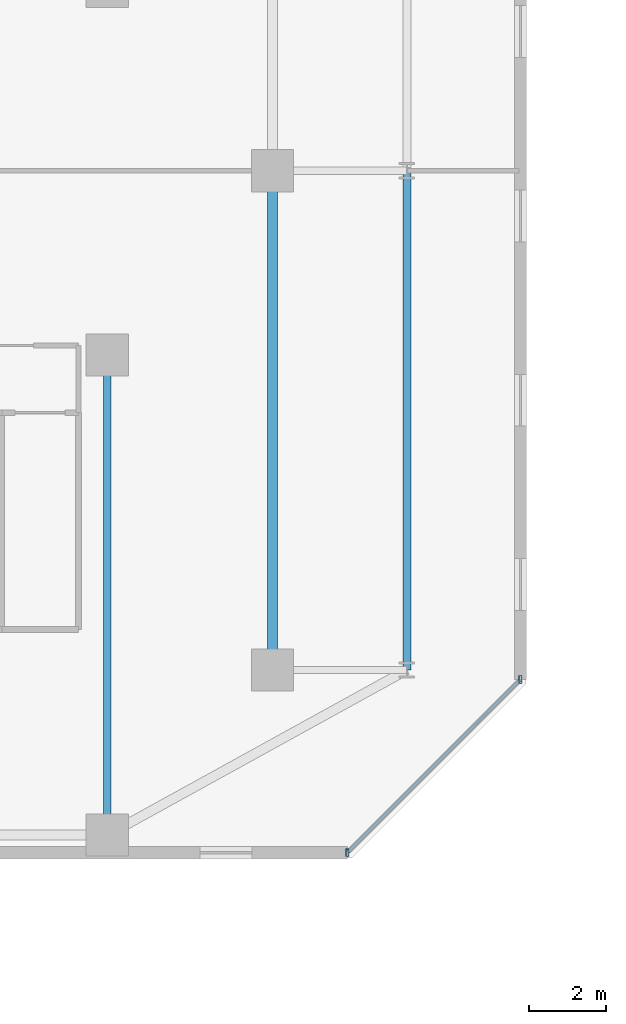
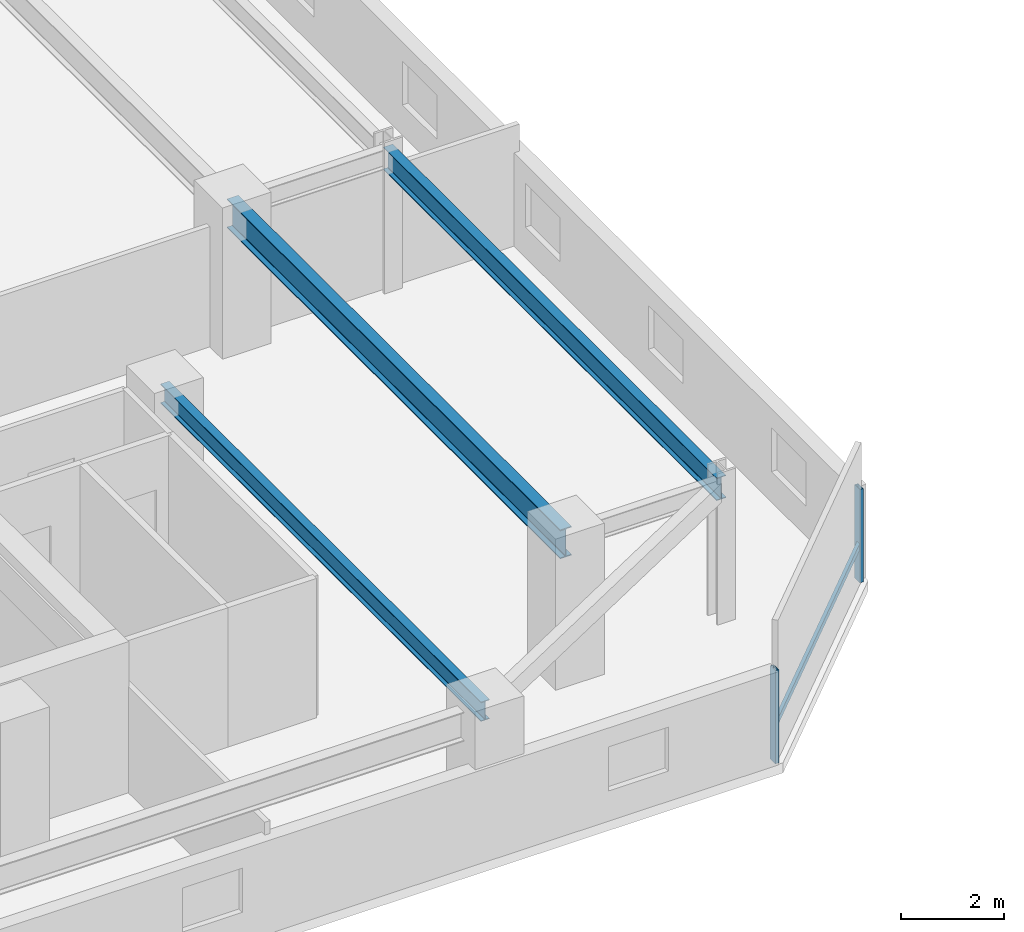
# One storey, part 5 of 36: 3 beams, 3 members, 1 element without a shape of its own.
"""IFC4 building model written with IfcOpenShell, lengths in metres."""

from ifc_helpers import new_model, si_unit, direction, frame, origin, origin_2d, place, context, subcontext, project, spatial, hollow_rectangle, i_section, extrude, material, material_profile, profile_set, type_object, element, aggregate, save


model = new_model("IFC4")

# Units and contexts
model_context = context("Model", 3, precision=1e-05, world=origin(), true_north=direction((0.0, 1.0)))
body_context = subcontext(model_context, "Body", "Model", "MODEL_VIEW")
ifc_project = project(units=[si_unit("LENGTHUNIT", "METRE"), si_unit("AREAUNIT", "SQUARE_METRE"), si_unit("VOLUMEUNIT", "CUBIC_METRE"), si_unit("PLANEANGLEUNIT", "RADIAN"), si_unit("MASSUNIT", "GRAM", prefix="KILO")], contexts=[model_context])

# Site, building, storey
site_placement = place(None, origin())
site = spatial("IfcSite", under=ifc_project, at=site_placement, CompositionType="ELEMENT")
building_placement = place(site_placement, origin())
building = spatial("IfcBuilding", under=site, at=building_placement, Name="Thornwick Lancets Civic Towers", CompositionType="ELEMENT")
storey_placement = place(building_placement, frame((0.0, 0.0, 196.5)))
storey = spatial("IfcBuildingStorey", under=building, at=storey_placement, Name="L52", CompositionType="ELEMENT", Elevation=196.5)

# Beams
ifc_material_1 = material(Name="Steel S355JR", Category="steel")
ifc_material_profile_1 = material_profile(ifc_material_1, i_section(OverallWidth=0.210693359375, OverallDepth=0.53955078125, WebThickness=0.01171875, FlangeThickness=0.018798828125, FilletRadius=0.0126953125, at=origin_2d()), Name="UKB 533x210x109")
ifc_profile_set_1 = profile_set([ifc_material_profile_1], Name="Steel S355JR")
beam_type_1 = type_object("IfcBeamType", Name="BM_EDGE_533_109", PredefinedType="SPANDREL", material=ifc_profile_set_1)
beam_1_placement = place(storey_placement, frame((46.300048828125, 14.0, 3.0703125), z_axis=(0.0, 1.0, 0.0), x_axis=(-1.0, 0.0, 0.0)))
element("IfcBeam", 1, at=beam_1_placement, inside=storey, type_object=beam_type_1, Name="BM-EDGE-L52-A-S1-1", PredefinedType="SPANDREL", context=body_context, shape_type="SweptSolid", body=[
    extrude(i_section(OverallWidth=0.210693359375, OverallDepth=0.53955078125, WebThickness=0.01171875, FlangeThickness=0.018798828125, FilletRadius=0.0126953125, at=origin_2d()), origin(), (0.0, 0.0, 1.0), 13.0),
])
ifc_material_profile_2 = material_profile(ifc_material_1, i_section(OverallWidth=0.255859375, OverallDepth=0.69287109375, WebThickness=0.014404296875, FlangeThickness=0.023681640625, FilletRadius=0.01513671875, at=origin_2d()), Name="UKB 686x254x170")
ifc_profile_set_2 = profile_set([ifc_material_profile_2], Name="Steel S355JR")
beam_type_2 = type_object("IfcBeamType", Name="BM_GIRD_686_170", PredefinedType="BEAM", material=ifc_profile_set_2)
beam_2_placement = place(storey_placement, frame((42.800048828125, 14.0, 2.993408203125), z_axis=(0.0, 1.0, 0.0), x_axis=(-1.0, 0.0, 0.0)))
element("IfcBeam", 2, at=beam_2_placement, inside=storey, type_object=beam_type_2, Name="BM-SPINE-L52-A-3-4", PredefinedType="BEAM", context=body_context, shape_type="SweptSolid", body=[
    extrude(i_section(OverallWidth=0.255859375, OverallDepth=0.69287109375, WebThickness=0.014404296875, FlangeThickness=0.023681640625, FilletRadius=0.01513671875, at=origin_2d()), origin(), (0.0, 0.0, 1.0), 13.0),
])
ifc_material_profile_3 = material_profile(ifc_material_1, i_section(OverallWidth=0.19189453125, OverallDepth=0.46337890625, WebThickness=0.010498046875, FlangeThickness=0.017578125, FilletRadius=0.01025390625, at=origin_2d()), Name="UKB 457x191x89")
ifc_profile_set_3 = profile_set([ifc_material_profile_3], Name="Steel S355JR")
beam_type_3 = type_object("IfcBeamType", Name="BM_JOIST_457_89", PredefinedType="JOIST", material=ifc_profile_set_3)
beam_3_placement = place(storey_placement, frame((38.5, 22.199951171875, 3.1083984375), z_axis=(0.0, -1.0, 0.0), x_axis=(1.0, 0.0, 0.0)))
element("IfcBeam", 3, at=beam_3_placement, inside=storey, type_object=beam_type_3, Name="BM-RADIN-L52-A03", PredefinedType="JOIST", context=body_context, shape_type="SweptSolid", body=[
    extrude(i_section(OverallWidth=0.19189453125, OverallDepth=0.46337890625, WebThickness=0.010498046875, FlangeThickness=0.017578125, FilletRadius=0.01025390625, at=origin_2d()), origin(), (0.0, 0.0, 1.0), 12.5),
])

# Curtain wall, members
ifc_material_2 = material(Name="Mid-zone chamfered-corner unitised glass curtain wall", Category="glass")
curtain_wall_type = type_object("IfcCurtainWallType", Name="CW_SYS_04", PredefinedType="NOTDEFINED", material=ifc_material_2)
curtain_wall_placement = place(storey_placement, origin())
curtain_wall = element("IfcCurtainWall", 4, at=curtain_wall_placement, inside=storey, type_object=curtain_wall_type, Name="L52 Curtain Wall CW-L52-A-E1", PredefinedType="NOTDEFINED")
ifc_material_3 = material(Name="Thermally broken bronze aluminium S355", Category="steel")
ifc_material_profile_4 = material_profile(ifc_material_3, hollow_rectangle(XDim=0.080078125, YDim=0.199951171875, WallThickness=0.006103515625, at=origin_2d()), Name="RHS 200x80x6")
ifc_profile_set_4 = profile_set([ifc_material_profile_4], Name="Thermally broken bronze aluminium S355")
member_type_1 = type_object("IfcMemberType", Name="CW_MUL_200", PredefinedType="MULLION", material=ifc_profile_set_4)
member_1_placement = place(storey_placement, frame((44.7509765625, 9.24169921875, 0.0), z_axis=(0.0, 0.0, 1.0), x_axis=(1.0, 0.0, 0.0)))
member_1 = element("IfcMember", 5, at=member_1_placement, type_object=member_type_1, Name="CW-L52-A-E1 Mullion 0", PredefinedType="MULLION", context=body_context, shape_type="SweptSolid", body=[
    extrude(hollow_rectangle(XDim=0.080078125, YDim=0.199951171875, WallThickness=0.006103515625, at=origin_2d()), origin(), (0.0, 0.0, 1.0), 2.219970703125),
])
member_2_placement = place(storey_placement, frame((49.25830078125, 13.7490234375, 0.0), z_axis=(0.0, 0.0, 1.0), x_axis=(1.0, 0.0, 0.0)))
member_2 = element("IfcMember", 6, at=member_2_placement, type_object=member_type_1, Name="CW-L52-A-E1 Mullion 1", PredefinedType="MULLION", context=body_context, shape_type="SweptSolid", body=[
    extrude(hollow_rectangle(XDim=0.080078125, YDim=0.199951171875, WallThickness=0.006103515625, at=origin_2d()), origin(), (0.0, 0.0, 1.0), 2.219970703125),
])
ifc_material_profile_5 = material_profile(ifc_material_3, hollow_rectangle(XDim=0.074951171875, YDim=0.14990234375, WallThickness=0.0048828125, at=origin_2d()), Name="RHS 150x75x5")
ifc_profile_set_5 = profile_set([ifc_material_profile_5], Name="Thermally broken bronze aluminium S355")
member_type_2 = type_object("IfcMemberType", Name="CW_TRN_150", PredefinedType="USERDEFINED", material=ifc_profile_set_5)
member_3_placement = place(storey_placement, frame((44.76513671875, 9.255859375, 0.85009765625), z_axis=(0.707106781187, 0.707106781187, 0.0), x_axis=(-0.707106781187, 0.707106781187, 0.0)))
member_3 = element("IfcMember", 7, at=member_3_placement, type_object=member_type_2, Name="CW-L52-A-E1 Transom 0", ObjectType="TRANSOM", PredefinedType="USERDEFINED", context=body_context, shape_type="SweptSolid", body=[
    extrude(hollow_rectangle(XDim=0.074951171875, YDim=0.14990234375, WallThickness=0.0048828125, at=origin_2d()), origin(), (0.0, 0.0, 1.0), 6.334228515625),
])
aggregate(curtain_wall, [member_1, member_2, member_3])

save(model, "model.ifc")
